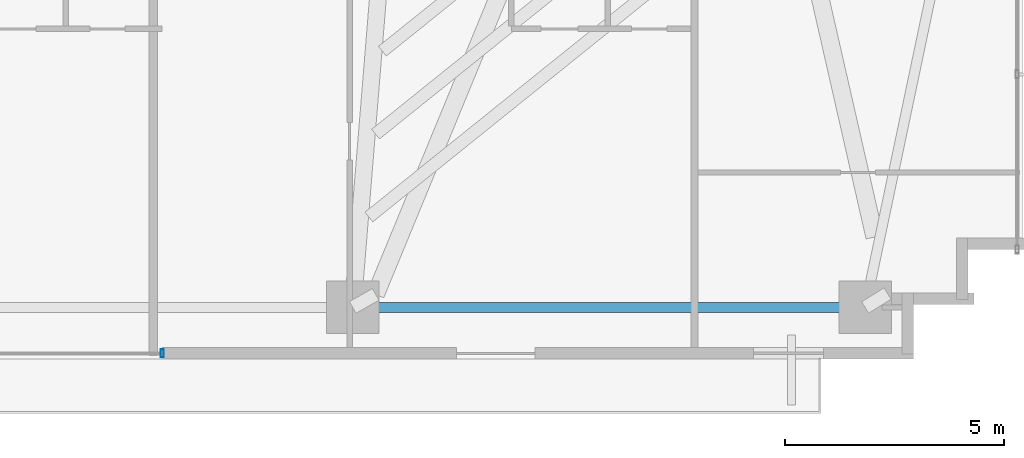
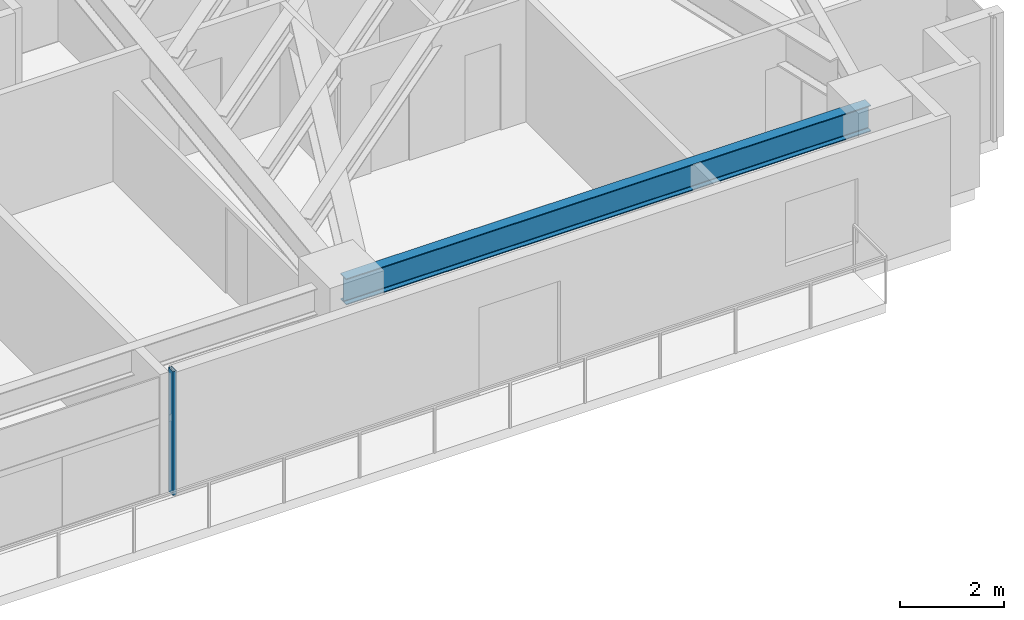
# One storey, part 12 of 25: 1 beam, 1 member, 1 element without a shape of its own.
"""IFC4 building model written with IfcOpenShell, lengths in metres."""

from ifc_helpers import new_model, si_unit, direction, frame, origin, origin_2d, place, context, subcontext, project, spatial, hollow_rectangle, i_section, extrude, source, transform, mapped, material, material_profile, profile_set, type_object, type_shapes, element, aggregate, save


model = new_model("IFC4")

# Units and contexts
model_context = context("Model", 3, precision=1e-05, world=origin(), true_north=direction((0.0, 1.0)))
body_context = subcontext(model_context, "Body", "Model", "MODEL_VIEW")
ifc_project = project(units=[si_unit("LENGTHUNIT", "METRE"), si_unit("AREAUNIT", "SQUARE_METRE"), si_unit("VOLUMEUNIT", "CUBIC_METRE"), si_unit("PLANEANGLEUNIT", "RADIAN"), si_unit("MASSUNIT", "GRAM", prefix="KILO")], contexts=[model_context])

# Site, building, storey
site_placement = place(None, origin())
site = spatial("IfcSite", under=ifc_project, at=site_placement, CompositionType="ELEMENT")
building_placement = place(site_placement, origin())
building = spatial("IfcBuilding", under=site, at=building_placement, Name="Astriad Promenade Condominiums", CompositionType="ELEMENT")
storey_placement = place(building_placement, frame((0.0, 0.0, 64.60009765625)))
storey = spatial("IfcBuildingStorey", under=building, at=storey_placement, Name="L18", CompositionType="ELEMENT", Elevation=64.60009765625)

# Beam
ifc_material_1 = material(Name="Steel ASTM A992 Grade 50", Category="steel")
ifc_material_profile_1 = material_profile(ifc_material_1, i_section(OverallWidth=0.22900390625, OverallDepth=0.612060546875, WebThickness=0.011962890625, FlangeThickness=0.01953125, FilletRadius=0.017822265625, at=origin_2d()), Name="W24X84")
ifc_profile_set_1 = profile_set([ifc_material_profile_1], Name="Steel ASTM A992 Grade 50")
beam_type = type_object("IfcBeamType", Name="STEEL SPANDREL BEAM W24X84", PredefinedType="SPANDREL", material=ifc_profile_set_1)
shared_shape_1 = source(origin(), body_context, "Body", "SweptSolid", [
    extrude(i_section(OverallWidth=0.22900390625, OverallDepth=0.612060546875, WebThickness=0.011962890625, FlangeThickness=0.01953125, FilletRadius=0.017822265625, at=origin_2d()), origin(), (0.0, 0.0, 1.0), 11.619873046875),
])
type_shapes(beam_type, [shared_shape_1])
beam_placement = place(storey_placement, frame((44.5400390625, 3.8798828125, 2.593994140625), z_axis=(1.0, 0.0, 0.0), x_axis=(0.0, 1.0, 0.0)))
element("IfcBeam", 1, at=beam_placement, inside=storey, type_object=beam_type, Name="Perimeter Spandrel Beam SP-S4-L18", PredefinedType="SPANDREL", context=body_context, shape_type="MappedRepresentation", body=[
    mapped(shared_shape_1, transform((0.0, 0.0, 0.0), scale=1.0)),
])

# Curtain wall, member
ifc_material_2 = material(Name="Anodised aluminium Black Dark Glass Unitised", Category="aluminium")
curtain_wall_type = type_object("IfcCurtainWallType", Name="CW-B1-DARK", PredefinedType="USERDEFINED", material=ifc_material_2)
curtain_wall_placement = place(storey_placement, origin())
curtain_wall = element("IfcCurtainWall", 2, at=curtain_wall_placement, inside=storey, type_object=curtain_wall_type, Name="CW-L18-S", ObjectType="UNITISED_CURTAIN_WALL", PredefinedType="USERDEFINED")
ifc_material_3 = material(Name="Anodised aluminium 6063-T6 Black", Category="aluminium")
ifc_material_profile_2 = material_profile(ifc_material_3, hollow_rectangle(XDim=0.074951171875, YDim=0.18505859375, WallThickness=0.00439453125, at=origin_2d()), Name="ALU-MUL-75X185")
ifc_profile_set_2 = profile_set([ifc_material_profile_2], Name="Anodised aluminium 6063-T6 Black")
member_type = type_object("IfcMemberType", Name="MUL-ALU-MUL-75X185", PredefinedType="MULLION", material=ifc_profile_set_2)
shared_shape_2 = source(origin(), body_context, "Body", "SweptSolid", [
    extrude(hollow_rectangle(XDim=0.074951171875, YDim=0.18505859375, WallThickness=0.00439453125, at=origin_2d()), origin(), (0.0, 0.0, 1.0), 2.89990234375),
])
type_shapes(member_type, [shared_shape_2])
member_placement = place(storey_placement, frame((40.14990234375, 2.830078125, 0.0), z_axis=(0.0, 0.0, 1.0), x_axis=(1.0, 0.0, 0.0)))
member = element("IfcMember", 3, at=member_placement, type_object=member_type, Name="CW-L18-S-MUL-00", PredefinedType="MULLION", context=body_context, shape_type="MappedRepresentation", body=[
    mapped(shared_shape_2, transform((0.0, 0.0, 0.0), scale=1.0)),
])
aggregate(curtain_wall, [member])

save(model, "model.ifc")
